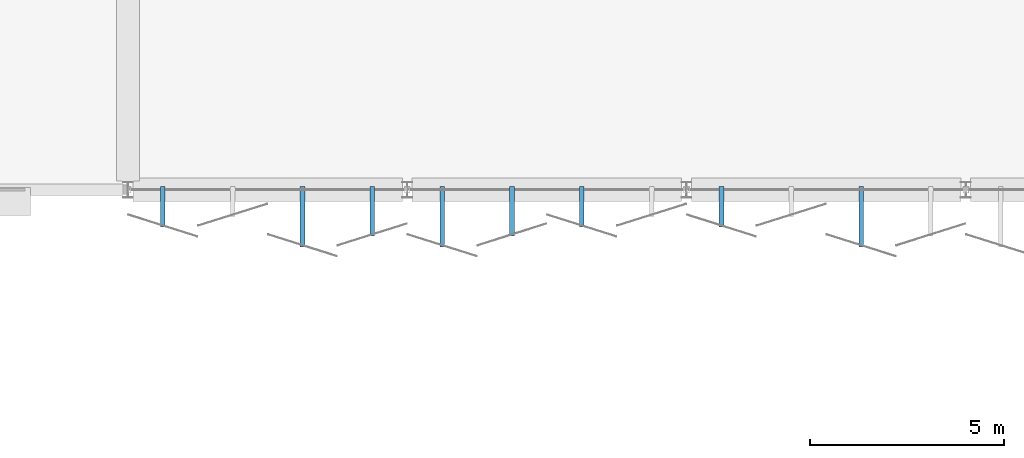
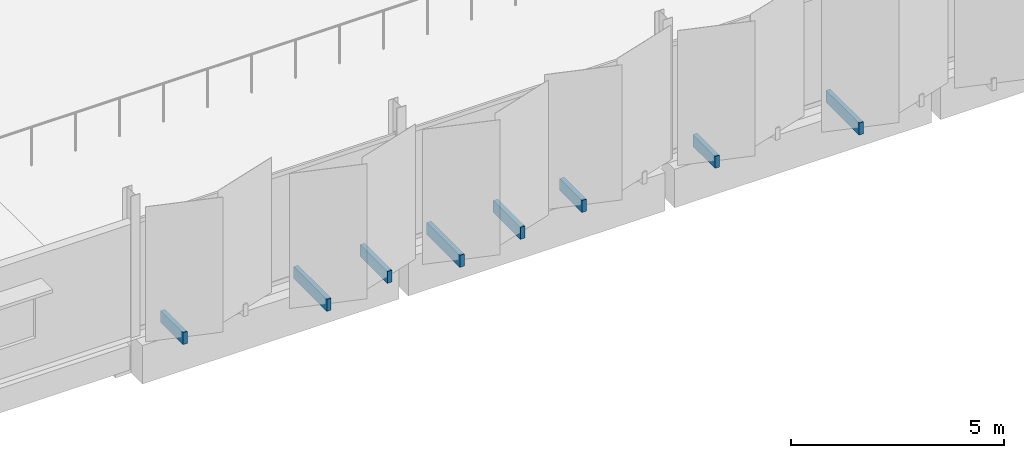
# One storey, part 91 of 107: 8 discrete accessories.
"""IFC4 building model written with IfcOpenShell, lengths in metres."""

from ifc_helpers import new_model, si_unit, direction, frame, origin, origin_2d, place, context, subcontext, project, spatial, rectangle, extrude, material, type_object, element, save


model = new_model("IFC4")

# Units and contexts
model_context = context("Model", 3, precision=1e-05, world=origin(), true_north=direction((0.0, 1.0)))
body_context = subcontext(model_context, "Body", "Model", "MODEL_VIEW")
ifc_project = project(units=[si_unit("LENGTHUNIT", "METRE"), si_unit("AREAUNIT", "SQUARE_METRE"), si_unit("VOLUMEUNIT", "CUBIC_METRE"), si_unit("PLANEANGLEUNIT", "RADIAN"), si_unit("MASSUNIT", "GRAM", prefix="KILO")], contexts=[model_context])

# Site, building, storey
site_placement = place(None, origin())
site = spatial("IfcSite", under=ifc_project, at=site_placement, CompositionType="ELEMENT")
building_placement = place(site_placement, origin())
building = spatial("IfcBuilding", under=site, at=building_placement, Name="Kangsadwip Square Police Headquarters", CompositionType="ELEMENT")
storey_placement = place(building_placement, frame((0.0, 0.0, 5.39990234375)))
storey = spatial("IfcBuildingStorey", under=building, at=storey_placement, Name="L01", CompositionType="ELEMENT", Elevation=5.39990234375)

# Discrete accessories
ifc_material = material(Name="Structural steel IS 2062 E350 (Grade 350, 350 MPa)", Category="steel")
discrete_accessory_type = type_object("IfcDiscreteAccessoryType", Name="VeilOutriggerBracket", PredefinedType="BRACKET", material=ifc_material)
discrete_accessory_1_placement = place(storey_placement, frame((44.10009765625, 85.957275390625, -0.06005859375), z_axis=(0.0, 0.0, 1.0), x_axis=(1.0, 0.0, 0.0)))
element("IfcDiscreteAccessory", 1, at=discrete_accessory_1_placement, inside=storey, type_object=discrete_accessory_type, Name="Veil Outrigger Bracket VBK-L01-0197", PredefinedType="BRACKET", context=body_context, shape_type="SweptSolid", body=[
    extrude(rectangle(XDim=0.1201171875, YDim=1.04541015625, at=origin_2d()), origin(), (0.0, 0.0, 1.0), 0.340087890625),
])
discrete_accessory_2_placement = place(storey_placement, frame((47.699951171875, 85.70263671875, -0.06005859375), z_axis=(0.0, 0.0, 1.0), x_axis=(1.0, 0.0, 0.0)))
element("IfcDiscreteAccessory", 2, at=discrete_accessory_2_placement, inside=storey, type_object=discrete_accessory_type, Name="Veil Outrigger Bracket VBK-L01-0199", PredefinedType="BRACKET", context=body_context, shape_type="SweptSolid", body=[
    extrude(rectangle(XDim=0.1201171875, YDim=1.5546875, at=origin_2d()), origin(), (0.0, 0.0, 1.0), 0.340087890625),
])
discrete_accessory_3_placement = place(storey_placement, frame((49.5, 85.8427734375, -0.06005859375), z_axis=(0.0, 0.0, 1.0), x_axis=(1.0, 0.0, 0.0)))
element("IfcDiscreteAccessory", 3, at=discrete_accessory_3_placement, inside=storey, type_object=discrete_accessory_type, Name="Veil Outrigger Bracket VBK-L01-0200", PredefinedType="BRACKET", context=body_context, shape_type="SweptSolid", body=[
    extrude(rectangle(XDim=0.1201171875, YDim=1.274658203125, at=origin_2d()), origin(), (0.0, 0.0, 1.0), 0.340087890625),
])
discrete_accessory_4_placement = place(storey_placement, frame((51.300048828125, 85.70263671875, -0.06005859375), z_axis=(0.0, 0.0, 1.0), x_axis=(1.0, 0.0, 0.0)))
element("IfcDiscreteAccessory", 4, at=discrete_accessory_4_placement, inside=storey, type_object=discrete_accessory_type, Name="Veil Outrigger Bracket VBK-L01-0201", PredefinedType="BRACKET", context=body_context, shape_type="SweptSolid", body=[
    extrude(rectangle(XDim=0.1201171875, YDim=1.5546875, at=origin_2d()), origin(), (0.0, 0.0, 1.0), 0.340087890625),
])
discrete_accessory_5_placement = place(storey_placement, frame((53.10009765625, 85.8427734375, -0.06005859375), z_axis=(0.0, 0.0, 1.0), x_axis=(1.0, 0.0, 0.0)))
element("IfcDiscreteAccessory", 5, at=discrete_accessory_5_placement, inside=storey, type_object=discrete_accessory_type, Name="Veil Outrigger Bracket VBK-L01-0202", PredefinedType="BRACKET", context=body_context, shape_type="SweptSolid", body=[
    extrude(rectangle(XDim=0.1201171875, YDim=1.274658203125, at=origin_2d()), origin(), (0.0, 0.0, 1.0), 0.340087890625),
])
for number, where, z_axis, x_axis, name in (
    (6, (54.89990234375, 85.957275390625, -0.06005859375), (0.0, 0.0, 1.0), (1.0, 0.0, 0.0), "Veil Outrigger Bracket VBK-L01-0203"),
    (7, (58.5, 85.957275390625, -0.06005859375), (0.0, 0.0, 1.0), (1.0, 0.0, 0.0), "Veil Outrigger Bracket VBK-L01-0205"),
):
    element("IfcDiscreteAccessory", number, at=place(storey_placement, frame(where, z_axis=z_axis, x_axis=x_axis)), inside=storey, type_object=discrete_accessory_type, Name=name, PredefinedType="BRACKET", context=body_context, shape_type="SweptSolid", body=[
        extrude(rectangle(XDim=0.1201171875, YDim=1.04541015625, at=origin_2d()), origin(), (0.0, 0.0, 1.0), 0.340087890625),
    ])
discrete_accessory_6_placement = place(storey_placement, frame((62.10009765625, 85.70263671875, -0.06005859375), z_axis=(0.0, 0.0, 1.0), x_axis=(1.0, 0.0, 0.0)))
element("IfcDiscreteAccessory", 8, at=discrete_accessory_6_placement, inside=storey, type_object=discrete_accessory_type, Name="Veil Outrigger Bracket VBK-L01-0207", PredefinedType="BRACKET", context=body_context, shape_type="SweptSolid", body=[
    extrude(rectangle(XDim=0.1201171875, YDim=1.5546875, at=origin_2d()), origin(), (0.0, 0.0, 1.0), 0.340087890625),
])

save(model, "model.ifc")
